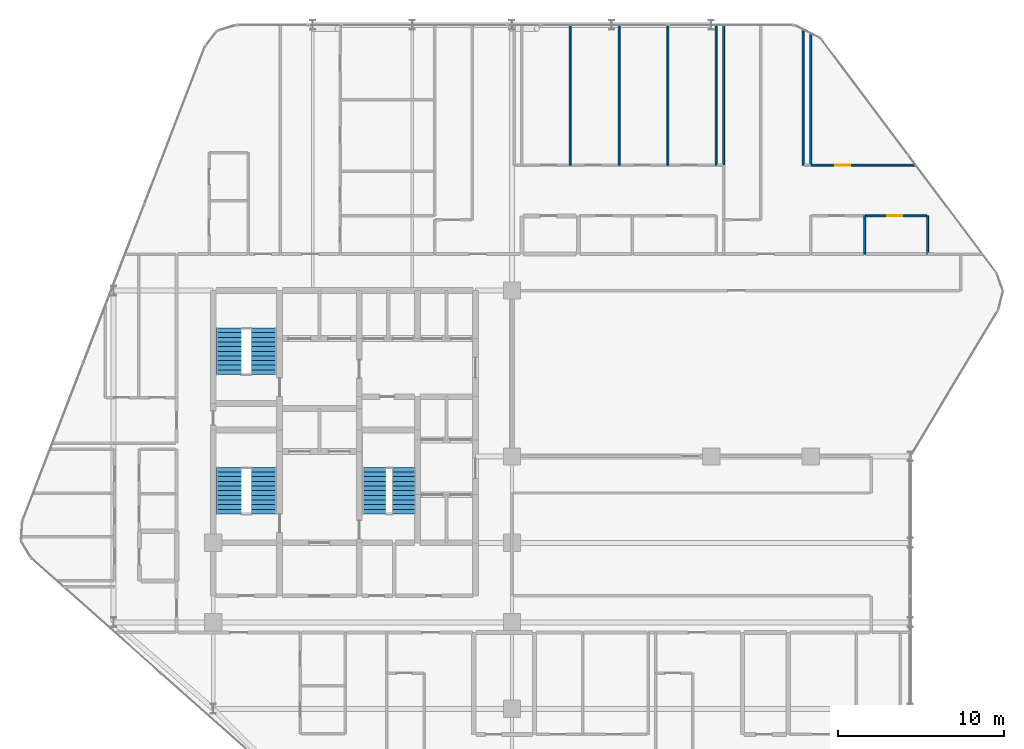
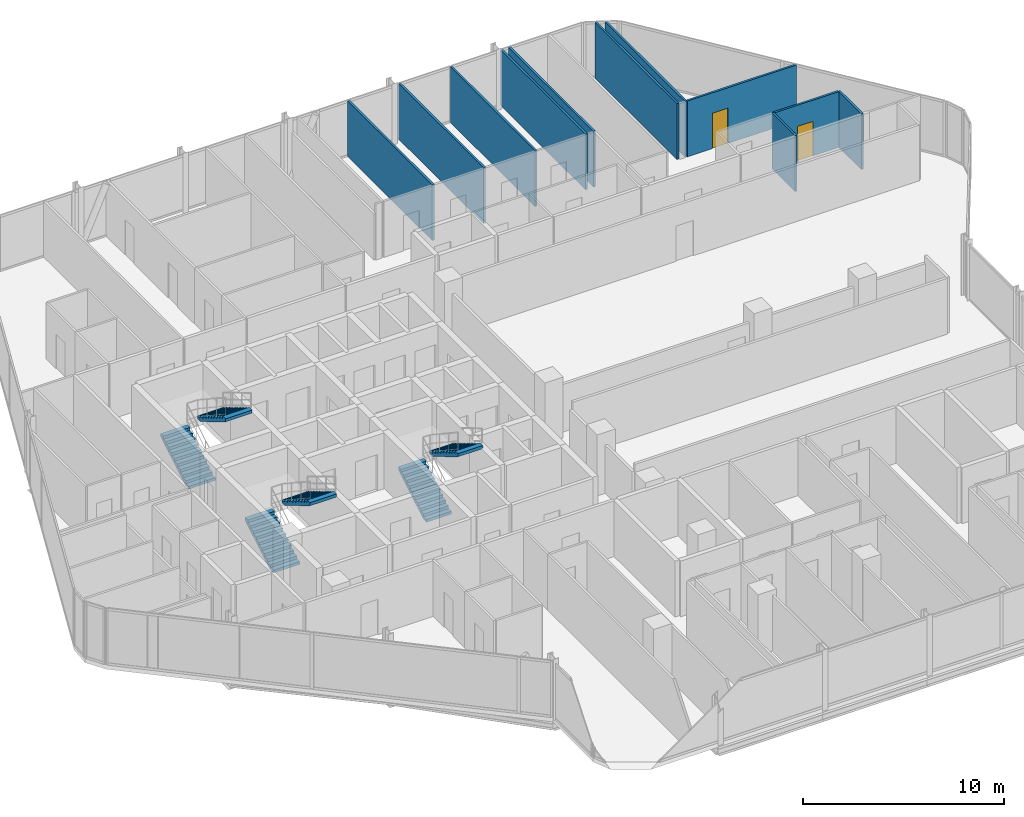
# One storey, part 29 of 30: 11 walls, 6 stair flights, 2 doors, 2 openings, 3 elements without a shape of their own.
"""IFC4 building model written with IfcOpenShell, lengths in metres."""

from ifc_helpers import new_model, si_unit, direction, frame, frame_2d, origin, place, context, subcontext, project, spatial, polyline, rectangle, outline, extrude, material, layer, layer_set, type_object, element, fill, aggregate, save


model = new_model("IFC4")

# Units and contexts
model_context = context("Model", 3, precision=1e-05, world=origin(), true_north=direction((0.0, 1.0)))
body_context = subcontext(model_context, "Body", "Model", "MODEL_VIEW")
ifc_project = project(units=[si_unit("LENGTHUNIT", "METRE"), si_unit("AREAUNIT", "SQUARE_METRE"), si_unit("VOLUMEUNIT", "CUBIC_METRE"), si_unit("PLANEANGLEUNIT", "RADIAN"), si_unit("MASSUNIT", "GRAM", prefix="KILO")], contexts=[model_context])

# Site, building, storey
site_placement = place(None, origin())
site = spatial("IfcSite", under=ifc_project, at=site_placement, CompositionType="ELEMENT")
building_placement = place(site_placement, origin())
building = spatial("IfcBuilding", under=site, at=building_placement, Name="Keshet Zoharim Tower", CompositionType="ELEMENT")
storey_placement = place(building_placement, frame((0.0, 0.0, 90.89990234375)))
storey = spatial("IfcBuildingStorey", under=building, at=storey_placement, Name="L21", CompositionType="ELEMENT", Elevation=90.89990234375)

# Walls
ifc_material_1 = material(Name="Gypsum Plasterboard", Category="gypsum")
ifc_layer_1 = layer(ifc_material_1, 0.1201171875)
ifc_layer_set_1 = layer_set([ifc_layer_1], Name="Gypsum Plasterboard")
wall_type_1 = type_object("IfcWallType", Name="WL-PART-120", PredefinedType="PARTITIONING", material=ifc_layer_set_1)
for number, where, z_axis, x_axis, name in (
    (1, (36.5, 45.449951171875, 0.0), (0.0, 0.0, 1.0), (0.0, 1.0, 0.0), "L21 Interior Wall 077"),
    (2, (39.449951171875, 45.449951171875, 0.0), (0.0, 0.0, 1.0), (0.0, 1.0, 0.0), "L21 Interior Wall 081"),
    (3, (42.39990234375, 45.449951171875, 0.0), (0.0, 0.0, 1.0), (0.0, 1.0, 0.0), "L21 Interior Wall 088"),
    (4, (45.300048828125, 45.449951171875, 0.0), (0.0, 0.0, 1.0), (0.0, 1.0, 0.0), "L21 Interior Wall 091"),
    (5, (45.75, 45.449951171875, 0.0), (0.0, 0.0, 1.0), (0.0, 1.0, 0.0), "L21 Interior Wall 094"),
):
    element("IfcWall", number, at=place(storey_placement, frame(where, z_axis=z_axis, x_axis=x_axis)), inside=storey, type_object=wall_type_1, Name=name, PredefinedType="PARTITIONING", context=body_context, shape_type="SweptSolid", body=[
        extrude(rectangle(XDim=8.43994140625, YDim=0.1201171875, at=frame_2d((4.219970703125, 0.0))), origin(), (0.0, 0.0, 1.0), 3.385009765625),
    ])
wall_1_placement = place(storey_placement, frame((50.550048828125, 45.449951171875, 0.0), z_axis=(0.0, 0.0, 1.0), x_axis=(0.0, 1.0, 0.0)))
element("IfcWall", 6, at=wall_1_placement, inside=storey, type_object=wall_type_1, Name="L21 Interior Wall 101", PredefinedType="PARTITIONING", context=body_context, shape_type="SweptSolid", body=[
    extrude(rectangle(XDim=8.1650390625, YDim=0.1201171875, at=frame_2d((4.08251953125, 0.0))), origin(), (0.0, 0.0, 1.0), 3.385009765625),
])
wall_2_placement = place(storey_placement, frame((51.0, 45.449951171875, 0.0), z_axis=(0.0, 0.0, 1.0), x_axis=(0.0, 1.0, 0.0)))
element("IfcWall", 7, at=wall_2_placement, inside=storey, type_object=wall_type_1, Name="L21 Interior Wall 103", PredefinedType="PARTITIONING", context=body_context, shape_type="SweptSolid", body=[
    extrude(rectangle(XDim=7.93994140625, YDim=0.1201171875, at=frame_2d((3.969970703125, 0.0))), origin(), (0.0, 0.0, 1.0), 3.385009765625),
])

# Wall, opening, door
wall_3_placement = place(storey_placement, frame((51.054931640625, 45.449951171875, 0.0), z_axis=(0.0, 0.0, 1.0), x_axis=(1.0, 0.0, 0.0)))
wall_3 = element("IfcWall", 8, at=wall_3_placement, inside=storey, type_object=wall_type_1, Name="L21 Interior Wall 211", PredefinedType="PARTITIONING", context=body_context, shape_type="SweptSolid", body=[
    extrude(rectangle(XDim=6.27294921875, YDim=0.1201171875, at=frame_2d((3.136474609375, 0.0))), origin(), (0.0, 0.0, 1.0), 3.385009765625),
])
opening_1_placement = place(wall_3_placement, frame((1.43701171875, 0.0, 0.0)))
opening_1 = element("IfcOpeningElement", 9, at=opening_1_placement, cuts=wall_3, Name="Opening D-IN90", PredefinedType="OPENING", context=body_context, shape_type="SweptSolid", body=[
    extrude(rectangle(XDim=0.89990234375, YDim=2.14990234375, at=frame_2d((0.449951171875, 1.074951171875))), frame((0.0, 0.070068359375, 0.0), z_axis=(0.0, -1.0, 0.0), x_axis=(1.0, 0.0, 0.0)), (0.0, 0.0, 1.0), 0.14013671875),
])
ifc_material_2 = material(Name="Hardwood Timber", Category="wood")
door_type_1 = type_object("IfcDoorType", Name="DR-INT-090", OperationType="NOTDEFINED", PredefinedType="DOOR", material=ifc_material_2)
door_1_placement = place(opening_1_placement, origin())
door_1 = element("IfcDoor", 10, at=door_1_placement, inside=storey, type_object=door_type_1, Name="Apartment 2107 Bedroom 1 Door", OperationType="SINGLE_SWING_LEFT", OverallHeight=2.14990234375, OverallWidth=0.89990234375, PredefinedType="DOOR", context=body_context, shape_type="SweptSolid", body=[
    extrude(rectangle(XDim=0.89990234375, YDim=2.14990234375, at=frame_2d((0.449951171875, 1.074951171875))), frame((0.0, 0.02490234375, 0.0), z_axis=(0.0, -1.0, 0.0), x_axis=(1.0, 0.0, 0.0)), (0.0, 0.0, 1.0), 0.050048828125),
])
fill(opening_1, door_1)

# Walls
ifc_layer_2 = layer(ifc_material_1, 0.1201171875)
ifc_layer_set_2 = layer_set([ifc_layer_2], Name="Gypsum Plasterboard")
wall_type_2 = type_object("IfcWallType", Name="WL-WET-120", PredefinedType="PARTITIONING", material=ifc_layer_set_2)
for number, where, z_axis, x_axis, name in (
    (11, (54.25, 40.10009765625, 0.0), (0.0, 0.0, 1.0), (0.0, 1.0, 0.0), "L21 Interior Wall 107"),
    (12, (58.050048828125, 40.10009765625, 0.0), (0.0, 0.0, 1.0), (0.0, 1.0, 0.0), "L21 Interior Wall 111"),
):
    element("IfcWall", number, at=place(storey_placement, frame(where, z_axis=z_axis, x_axis=x_axis)), inside=storey, type_object=wall_type_2, Name=name, PredefinedType="PARTITIONING", context=body_context, shape_type="SweptSolid", body=[
        extrude(rectangle(XDim=2.2998046875, YDim=0.1201171875, at=frame_2d((1.14990234375, 0.0))), origin(), (0.0, 0.0, 1.0), 3.385009765625),
    ])

# Wall, opening, door
wall_4_placement = place(storey_placement, frame((54.2880859375, 42.39990234375, 0.0), z_axis=(0.0, 0.0, 1.0), x_axis=(1.0, 0.0, 0.0)))
wall_4 = element("IfcWall", 13, at=wall_4_placement, inside=storey, type_object=wall_type_2, Name="L21 Interior Wall 204", PredefinedType="PARTITIONING", context=body_context, shape_type="SweptSolid", body=[
    extrude(rectangle(XDim=3.704833984375, YDim=0.1201171875, at=frame_2d((1.8525390625, 0.0))), origin(), (0.0, 0.0, 1.0), 3.385009765625),
])
opening_2_placement = place(wall_4_placement, frame((1.33203125, 0.0, 0.0)))
opening_2 = element("IfcOpeningElement", 14, at=opening_2_placement, cuts=wall_4, Name="Opening D-WT90", PredefinedType="OPENING", context=body_context, shape_type="SweptSolid", body=[
    extrude(rectangle(XDim=0.89990234375, YDim=2.10009765625, at=frame_2d((0.449951171875, 1.050048828125))), frame((0.0, 0.070068359375, 0.0), z_axis=(0.0, -1.0, 0.0), x_axis=(1.0, 0.0, 0.0)), (0.0, 0.0, 1.0), 0.14013671875),
])
door_type_2 = type_object("IfcDoorType", Name="DR-WET-090", OperationType="NOTDEFINED", PredefinedType="DOOR", material=ifc_material_2)
door_2_placement = place(opening_2_placement, origin())
door_2 = element("IfcDoor", 15, at=door_2_placement, inside=storey, type_object=door_type_2, Name="Apartment 2107 Bathroom Door", OperationType="SINGLE_SWING_RIGHT", OverallHeight=2.10009765625, OverallWidth=0.89990234375, PredefinedType="DOOR", context=body_context, shape_type="SweptSolid", body=[
    extrude(rectangle(XDim=0.89990234375, YDim=2.10009765625, at=frame_2d((0.449951171875, 1.050048828125))), frame((0.0, 0.02490234375, 0.0), z_axis=(0.0, -1.0, 0.0), x_axis=(1.0, 0.0, 0.0)), (0.0, 0.0, 1.0), 0.050048828125),
])
fill(opening_2, door_2)

# Stair, stair flights
ifc_material_3 = material(Name="Concrete C50/60", Category="concrete")
stair_type = type_object("IfcStairType", Name="STR-EXIT-135", PredefinedType="HALF_TURN_STAIR", material=ifc_material_3)
stair_1_placement = place(storey_placement, origin())
stair_1 = element("IfcStair", 16, at=stair_1_placement, inside=storey, type_object=stair_type, Name="L21 Enclosed Exit Stair ST-01", PredefinedType="HALF_TURN_STAIR")
stair_flight_type_1 = type_object("IfcStairFlightType", Name="FLT-PRE-135", PredefinedType="STRAIGHT", material=ifc_material_3)
stair_flight_1_placement = place(storey_placement, frame((15.945068359375, 24.43994140625, 0.0), z_axis=(0.0, 0.0, 1.0), x_axis=(0.0, 1.0, 0.0)))
stair_flight_1 = element("IfcStairFlight", 17, at=stair_flight_1_placement, type_object=stair_flight_type_1, Name="ST-01 flight 1", NumberOfRisers=11, NumberOfTreads=10, PredefinedType="STRAIGHT", RiserHeight=0.168182, TreadLength=0.28, context=body_context, shape_type="SweptSolid", body=[
    extrude(outline(polyline([(0.0, 0.0), (0.0, 0.168212890625), (0.280029296875, 0.168212890625), (0.280029296875, 0.33642578125), (0.56005859375, 0.33642578125), (0.56005859375, 0.504638671875), (0.840087890625, 0.504638671875), (0.840087890625, 0.672607421875), (1.1201171875, 0.672607421875), (1.1201171875, 0.8408203125), (1.39990234375, 0.8408203125), (1.39990234375, 1.009033203125), (1.679931640625, 1.009033203125), (1.679931640625, 1.17724609375), (1.9599609375, 1.17724609375), (1.9599609375, 1.345458984375), (2.239990234375, 1.345458984375), (2.239990234375, 1.513671875), (2.52001953125, 1.513671875), (2.52001953125, 1.681884765625), (2.800048828125, 1.681884765625), (2.800048828125, 1.85009765625), (2.800048828125, 1.495361328125), (0.310546875, 0.0), (0.0, 0.0)])), frame((0.0, 0.76513671875, 0.0), z_axis=(0.0, -1.0, 0.0), x_axis=(1.0, 0.0, 0.0)), (0.0, 0.0, 1.0), 1.530029296875),
])
stair_flight_2_placement = place(storey_placement, frame((18.054931640625, 27.239990234375, 1.85009765625), z_axis=(0.0, 0.0, 1.0), x_axis=(0.0, -1.0, 0.0)))
stair_flight_2 = element("IfcStairFlight", 18, at=stair_flight_2_placement, type_object=stair_flight_type_1, Name="ST-01 flight 2", NumberOfRisers=11, NumberOfTreads=10, PredefinedType="STRAIGHT", RiserHeight=0.168182, TreadLength=0.28, context=body_context, shape_type="SweptSolid", body=[
    extrude(outline(polyline([(0.0, 0.0), (0.0, 0.168212890625), (0.280029296875, 0.168212890625), (0.280029296875, 0.33642578125), (0.56005859375, 0.33642578125), (0.56005859375, 0.504638671875), (0.840087890625, 0.504638671875), (0.840087890625, 0.672607421875), (1.1201171875, 0.672607421875), (1.1201171875, 0.8408203125), (1.39990234375, 0.8408203125), (1.39990234375, 1.009033203125), (1.679931640625, 1.009033203125), (1.679931640625, 1.17724609375), (1.9599609375, 1.17724609375), (1.9599609375, 1.345458984375), (2.239990234375, 1.345458984375), (2.239990234375, 1.513671875), (2.52001953125, 1.513671875), (2.52001953125, 1.681884765625), (2.800048828125, 1.681884765625), (2.800048828125, 1.85009765625), (2.800048828125, 1.495361328125), (0.310546875, 0.0), (0.0, 0.0)])), frame((0.0, 0.76513671875, 0.0), z_axis=(0.0, -1.0, 0.0), x_axis=(1.0, 0.0, 0.0)), (0.0, 0.0, 1.0), 1.530029296875),
])
aggregate(stair_1, [stair_flight_1, stair_flight_2])

stair_2_placement = place(storey_placement, origin())
stair_2 = element("IfcStair", 19, at=stair_2_placement, inside=storey, type_object=stair_type, Name="L21 Enclosed Exit Stair ST-02", PredefinedType="HALF_TURN_STAIR")
stair_flight_3_placement = place(storey_placement, frame((15.945068359375, 32.840087890625, 0.0), z_axis=(0.0, 0.0, 1.0), x_axis=(0.0, 1.0, 0.0)))
stair_flight_3 = element("IfcStairFlight", 20, at=stair_flight_3_placement, type_object=stair_flight_type_1, Name="ST-02 flight 1", NumberOfRisers=11, NumberOfTreads=10, PredefinedType="STRAIGHT", RiserHeight=0.168182, TreadLength=0.28, context=body_context, shape_type="SweptSolid", body=[
    extrude(outline(polyline([(0.0, 0.0), (0.0, 0.168212890625), (0.280029296875, 0.168212890625), (0.280029296875, 0.33642578125), (0.56005859375, 0.33642578125), (0.56005859375, 0.504638671875), (0.840087890625, 0.504638671875), (0.840087890625, 0.672607421875), (1.1201171875, 0.672607421875), (1.1201171875, 0.8408203125), (1.39990234375, 0.8408203125), (1.39990234375, 1.009033203125), (1.679931640625, 1.009033203125), (1.679931640625, 1.17724609375), (1.9599609375, 1.17724609375), (1.9599609375, 1.345458984375), (2.239990234375, 1.345458984375), (2.239990234375, 1.513671875), (2.52001953125, 1.513671875), (2.52001953125, 1.681884765625), (2.800048828125, 1.681884765625), (2.800048828125, 1.85009765625), (2.800048828125, 1.495361328125), (0.310546875, 0.0), (0.0, 0.0)])), frame((0.0, 0.76513671875, 0.0), z_axis=(0.0, -1.0, 0.0), x_axis=(1.0, 0.0, 0.0)), (0.0, 0.0, 1.0), 1.530029296875),
])
stair_flight_4_placement = place(storey_placement, frame((18.054931640625, 35.639892578125, 1.85009765625), z_axis=(0.0, 0.0, 1.0), x_axis=(0.0, -1.0, 0.0)))
stair_flight_4 = element("IfcStairFlight", 21, at=stair_flight_4_placement, type_object=stair_flight_type_1, Name="ST-02 flight 2", NumberOfRisers=11, NumberOfTreads=10, PredefinedType="STRAIGHT", RiserHeight=0.168182, TreadLength=0.28, context=body_context, shape_type="SweptSolid", body=[
    extrude(outline(polyline([(0.0, 0.0), (0.0, 0.168212890625), (0.280029296875, 0.168212890625), (0.280029296875, 0.33642578125), (0.56005859375, 0.33642578125), (0.56005859375, 0.504638671875), (0.840087890625, 0.504638671875), (0.840087890625, 0.672607421875), (1.1201171875, 0.672607421875), (1.1201171875, 0.8408203125), (1.39990234375, 0.8408203125), (1.39990234375, 1.009033203125), (1.679931640625, 1.009033203125), (1.679931640625, 1.17724609375), (1.9599609375, 1.17724609375), (1.9599609375, 1.345458984375), (2.239990234375, 1.345458984375), (2.239990234375, 1.513671875), (2.52001953125, 1.513671875), (2.52001953125, 1.681884765625), (2.800048828125, 1.681884765625), (2.800048828125, 1.85009765625), (2.800048828125, 1.495361328125), (0.310546875, 0.0), (0.0, 0.0)])), frame((0.0, 0.76513671875, 0.0), z_axis=(0.0, -1.0, 0.0), x_axis=(1.0, 0.0, 0.0)), (0.0, 0.0, 1.0), 1.530029296875),
])
aggregate(stair_2, [stair_flight_3, stair_flight_4])

stair_3_placement = place(storey_placement, origin())
stair_3 = element("IfcStair", 22, at=stair_3_placement, inside=storey, type_object=stair_type, Name="L21 Enclosed Exit Stair ST-03", PredefinedType="HALF_TURN_STAIR")
stair_flight_type_2 = type_object("IfcStairFlightType", Name="FLT-PRE-144", PredefinedType="STRAIGHT", material=ifc_material_3)
stair_flight_5_placement = place(storey_placement, frame((24.699951171875, 24.43994140625, 0.0), z_axis=(0.0, 0.0, 1.0), x_axis=(0.0, 1.0, 0.0)))
stair_flight_5 = element("IfcStairFlight", 23, at=stair_flight_5_placement, type_object=stair_flight_type_2, Name="ST-03 flight 1", NumberOfRisers=11, NumberOfTreads=10, PredefinedType="STRAIGHT", RiserHeight=0.168182, TreadLength=0.28, context=body_context, shape_type="SweptSolid", body=[
    extrude(outline(polyline([(0.0, 0.0), (0.0, 0.168212890625), (0.280029296875, 0.168212890625), (0.280029296875, 0.33642578125), (0.56005859375, 0.33642578125), (0.56005859375, 0.504638671875), (0.840087890625, 0.504638671875), (0.840087890625, 0.672607421875), (1.1201171875, 0.672607421875), (1.1201171875, 0.8408203125), (1.39990234375, 0.8408203125), (1.39990234375, 1.009033203125), (1.679931640625, 1.009033203125), (1.679931640625, 1.17724609375), (1.9599609375, 1.17724609375), (1.9599609375, 1.345458984375), (2.239990234375, 1.345458984375), (2.239990234375, 1.513671875), (2.52001953125, 1.513671875), (2.52001953125, 1.681884765625), (2.800048828125, 1.681884765625), (2.800048828125, 1.85009765625), (2.800048828125, 1.495361328125), (0.310546875, 0.0), (0.0, 0.0)])), frame((0.0, 0.719970703125, 0.0), z_axis=(0.0, -1.0, 0.0), x_axis=(1.0, 0.0, 0.0)), (0.0, 0.0, 1.0), 1.43994140625),
])
stair_flight_6_placement = place(storey_placement, frame((26.5, 27.239990234375, 1.85009765625), z_axis=(0.0, 0.0, 1.0), x_axis=(0.0, -1.0, 0.0)))
stair_flight_6 = element("IfcStairFlight", 24, at=stair_flight_6_placement, type_object=stair_flight_type_2, Name="ST-03 flight 2", NumberOfRisers=11, NumberOfTreads=10, PredefinedType="STRAIGHT", RiserHeight=0.168182, TreadLength=0.28, context=body_context, shape_type="SweptSolid", body=[
    extrude(outline(polyline([(0.0, 0.0), (0.0, 0.168212890625), (0.280029296875, 0.168212890625), (0.280029296875, 0.33642578125), (0.56005859375, 0.33642578125), (0.56005859375, 0.504638671875), (0.840087890625, 0.504638671875), (0.840087890625, 0.672607421875), (1.1201171875, 0.672607421875), (1.1201171875, 0.8408203125), (1.39990234375, 0.8408203125), (1.39990234375, 1.009033203125), (1.679931640625, 1.009033203125), (1.679931640625, 1.17724609375), (1.9599609375, 1.17724609375), (1.9599609375, 1.345458984375), (2.239990234375, 1.345458984375), (2.239990234375, 1.513671875), (2.52001953125, 1.513671875), (2.52001953125, 1.681884765625), (2.800048828125, 1.681884765625), (2.800048828125, 1.85009765625), (2.800048828125, 1.495361328125), (0.310546875, 0.0), (0.0, 0.0)])), frame((0.0, 0.719970703125, 0.0), z_axis=(0.0, -1.0, 0.0), x_axis=(1.0, 0.0, 0.0)), (0.0, 0.0, 1.0), 1.43994140625),
])
aggregate(stair_3, [stair_flight_5, stair_flight_6])

save(model, "model.ifc")
